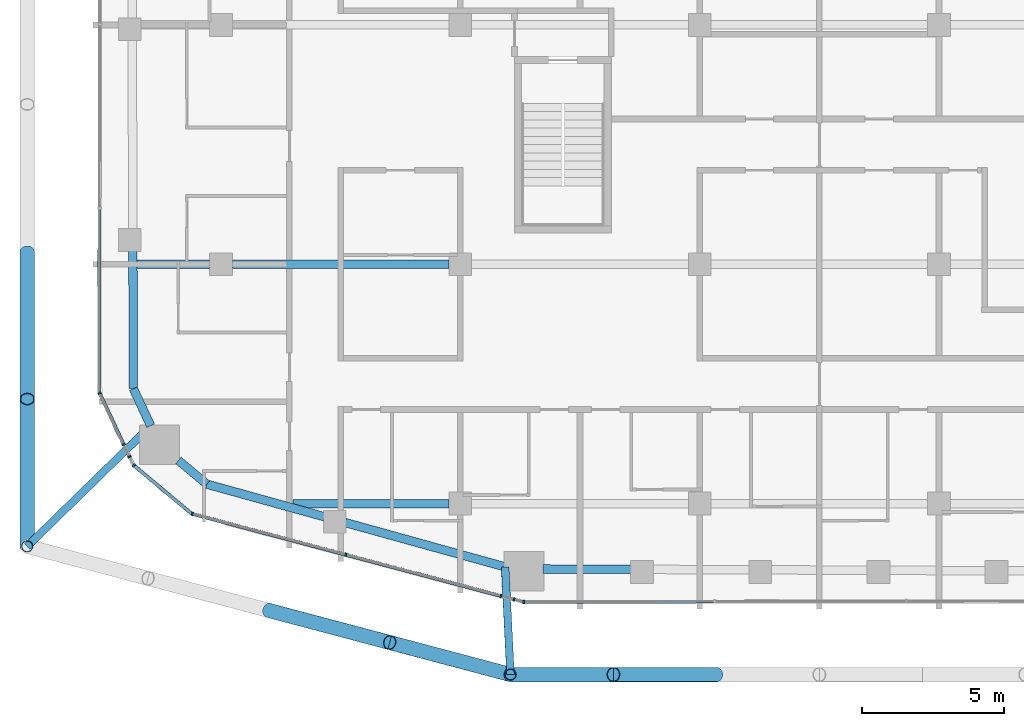
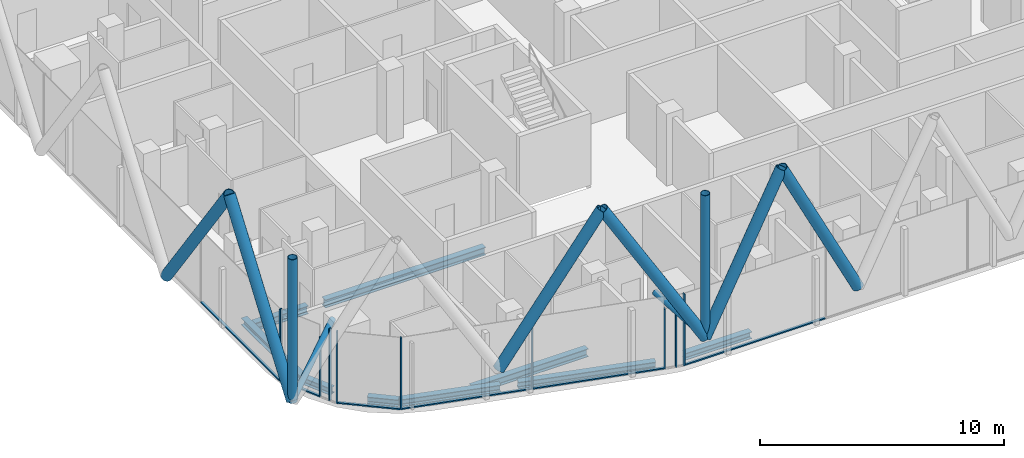
# One storey, part 2 of 28: 25 members, 9 beams, 9 elements without a shape of their own.
"""IFC4 building model written with IfcOpenShell, lengths in metres."""

from ifc_helpers import new_model, si_unit, direction, frame, origin, origin_2d, place, context, subcontext, project, spatial, rectangle, hollow_circle, i_section, extrude, material, layer, layer_set, material_profile, profile_set, type_object, element, aggregate, save


model = new_model("IFC4")

# Units and contexts
model_context = context("Model", 3, precision=1e-05, world=origin(), true_north=direction((0.0, 1.0)))
body_context = subcontext(model_context, "Body", "Model", "MODEL_VIEW")
ifc_project = project(units=[si_unit("LENGTHUNIT", "METRE"), si_unit("AREAUNIT", "SQUARE_METRE"), si_unit("VOLUMEUNIT", "CUBIC_METRE"), si_unit("PLANEANGLEUNIT", "RADIAN"), si_unit("MASSUNIT", "GRAM", prefix="KILO")], contexts=[model_context])

# Site, building, storey
site_placement = place(None, origin())
site = spatial("IfcSite", under=ifc_project, at=site_placement, CompositionType="ELEMENT")
building_placement = place(site_placement, origin())
building = spatial("IfcBuilding", under=site, at=building_placement, Name="Marenta Gate Hotel Tower", CompositionType="ELEMENT")
storey_placement = place(building_placement, frame((0.0, 0.0, 212.89990234375)))
storey = spatial("IfcBuildingStorey", under=building, at=storey_placement, Name="L49", CompositionType="ELEMENT", Elevation=212.89990234375)

# Members
ifc_material_1 = material(Name="Steel S355J2W", Category="steel")
ifc_material_profile_1 = material_profile(ifc_material_1, hollow_circle(Radius=0.203125, WallThickness=0.02490234375, at=origin_2d()), Name="CHS 406.4x25")
ifc_profile_set_1 = profile_set([ifc_material_profile_1], Name="Steel S355J2W")
member_type_1 = type_object("IfcMemberType", Name="Diagrid corner post Z3 CHS 406.4x25", PredefinedType="POST", material=ifc_profile_set_1)
for number, where, z_axis, x_axis, name in (
    (1, (-10.839111328125, -31.199951171875, 3.14013671875), (0.0, 0.0, 1.0), (1.0, 0.0, 0.0), "L49-DR-4"),
    (2, (-27.800048828125, -26.7001953125, 3.14013671875), (0.0, 0.0, 1.0), (1.0, 0.0, 0.0), "L49-DR-5"),
):
    element("IfcMember", number, at=place(storey_placement, frame(where, z_axis=z_axis, x_axis=x_axis)), inside=storey, type_object=member_type_1, Name=name, PredefinedType="POST", context=body_context, shape_type="SweptSolid", body=[
        extrude(hollow_circle(Radius=0.203125, WallThickness=0.02490234375, at=origin_2d()), origin(), (0.0, 0.0, 1.0), 7.199951171875),
    ])
ifc_material_2 = material(Name="Steel S355J2W", Category="steel")
ifc_material_profile_2 = material_profile(ifc_material_2, hollow_circle(Radius=0.25390625, WallThickness=0.02490234375, at=origin_2d()), Name="CHS 508x25")
ifc_profile_set_2 = profile_set([ifc_material_profile_2], Name="Steel S355J2W")
member_type_2 = type_object("IfcMemberType", Name="Diagrid diagonal Z3 CHS 508x25", PredefinedType="BRACE", material=ifc_profile_set_2)
for number, where, z_axis, x_axis, name in (
    (3, (-3.613037109375, -31.199951171875, 3.14013671875), (-0.44851025603, 0.0, 0.893777685018), (0.0, -1.0, 0.0), "L49-DG-19"),
    (4, (-10.839111328125, -31.199951171875, 3.14013671875), (0.44851025603, 0.0, 0.893777685018), (0.0, 1.0, 0.0), "L49-DG-20"),
):
    element("IfcMember", number, at=place(storey_placement, frame(where, z_axis=z_axis, x_axis=x_axis)), inside=storey, type_object=member_type_2, Name=name, PredefinedType="BRACE", context=body_context, shape_type="SweptSolid", body=[
        extrude(hollow_circle(Radius=0.25390625, WallThickness=0.02490234375, at=origin_2d()), origin(), (0.0, 0.0, 1.0), 8.0556640625),
    ])
for number, where, z_axis, x_axis, name in (
    (5, (-10.839111328125, -31.199951171875, 3.14013671875), (-0.502924018666, 0.133433548941, 0.853968921838), (-0.256443187528, -0.96655930577, 0.0), "L49-DG-21"),
    (6, (-19.319580078125, -28.9501953125, 3.14013671875), (0.502925961678, -0.133405107407, 0.853972221087), (0.256391194513, 0.966573098827, 0.0), "L49-DG-22"),
):
    element("IfcMember", number, at=place(storey_placement, frame(where, z_axis=z_axis, x_axis=x_axis)), inside=storey, type_object=member_type_2, Name=name, PredefinedType="BRACE", context=body_context, shape_type="SweptSolid", body=[
        extrude(hollow_circle(Radius=0.25390625, WallThickness=0.02490234375, at=origin_2d()), origin(), (0.0, 0.0, 1.0), 8.43115234375),
    ])
member_1_placement = place(storey_placement, frame((-27.800048828125, -26.7001953125, 3.14013671875), z_axis=(0.0, 0.583279014058, 0.812271870595), x_axis=(-1.0, 0.0, 0.0)))
element("IfcMember", 7, at=member_1_placement, inside=storey, type_object=member_type_2, Name="L49-DG-25", PredefinedType="BRACE", context=body_context, shape_type="SweptSolid", body=[
    extrude(hollow_circle(Radius=0.25390625, WallThickness=0.02490234375, at=origin_2d()), origin(), (0.0, 0.0, 1.0), 8.864013671875),
])
member_2_placement = place(storey_placement, frame((-27.800048828125, -16.360107421875, 3.14013671875), z_axis=(0.0, -0.583260841117, 0.812284919975), x_axis=(1.0, 0.0, 0.0)))
element("IfcMember", 8, at=member_2_placement, inside=storey, type_object=member_type_2, Name="L49-DG-26", PredefinedType="BRACE", context=body_context, shape_type="SweptSolid", body=[
    extrude(hollow_circle(Radius=0.25390625, WallThickness=0.02490234375, at=origin_2d()), origin(), (0.0, 0.0, 1.0), 8.86376953125),
])

# Beams
ifc_material_3 = material(Name="Steel S355", Category="steel")
ifc_material_profile_3 = material_profile(ifc_material_3, i_section(OverallWidth=0.300048828125, OverallDepth=0.340087890625, WebThickness=0.011962890625, FlangeThickness=0.021484375, FilletRadius=0.027099609375, at=origin_2d()), Name="HEB 340")
ifc_profile_set_3 = profile_set([ifc_material_profile_3], Name="Steel S355")
beam_type_1 = type_object("IfcBeamType", Name="Edge beam HEB 340", PredefinedType="SPANDREL", material=ifc_profile_set_3)
beam_1_placement = place(storey_placement, frame((-11.02783203125, -27.42236328125, -0.429931640625), z_axis=(-0.963619240724, 0.267278803699, 0.0), x_axis=(-0.267278803699, -0.963619240724, 0.0)))
element("IfcBeam", 9, at=beam_1_placement, inside=storey, type_object=beam_type_1, Name="L49-EB-1", PredefinedType="SPANDREL", context=body_context, shape_type="SweptSolid", body=[
    extrude(i_section(OverallWidth=0.300048828125, OverallDepth=0.340087890625, WebThickness=0.011962890625, FlangeThickness=0.021484375, FilletRadius=0.027099609375, at=origin_2d()), origin(), (0.0, 0.0, 1.0), 5.82958984375),
])
beam_2_placement = place(storey_placement, frame((-17.3681640625, -25.663818359375, -0.429931640625), z_axis=(-0.963628037304, 0.267247087396, 0.0), x_axis=(-0.267247087396, -0.963628037304, 0.0)))
element("IfcBeam", 10, at=beam_2_placement, inside=storey, type_object=beam_type_1, Name="L49-EB-2", PredefinedType="SPANDREL", context=body_context, shape_type="SweptSolid", body=[
    extrude(i_section(OverallWidth=0.300048828125, OverallDepth=0.340087890625, WebThickness=0.011962890625, FlangeThickness=0.021484375, FilletRadius=0.027099609375, at=origin_2d()), origin(), (0.0, 0.0, 1.0), 4.284423828125),
])
beam_3_placement = place(storey_placement, frame((-21.496826171875, -24.518798828125, -0.429931640625), z_axis=(-0.767065103149, 0.641569269472, 0.0), x_axis=(-0.641569269472, -0.767065103149, 0.0)))
element("IfcBeam", 11, at=beam_3_placement, inside=storey, type_object=beam_type_1, Name="L49-EB-3", PredefinedType="SPANDREL", context=body_context, shape_type="SweptSolid", body=[
    extrude(i_section(OverallWidth=0.300048828125, OverallDepth=0.340087890625, WebThickness=0.011962890625, FlangeThickness=0.021484375, FilletRadius=0.027099609375, at=origin_2d()), origin(), (0.0, 0.0, 1.0), 1.299560546875),
])
beam_4_placement = place(storey_placement, frame((-23.466796875, -22.46923828125, -0.429931640625), z_axis=(-0.423341112024, 0.905970365338, 0.0), x_axis=(-0.905970365338, -0.423341112024, 0.0)))
element("IfcBeam", 12, at=beam_4_placement, inside=storey, type_object=beam_type_1, Name="L49-EB-4", PredefinedType="SPANDREL", context=body_context, shape_type="SweptSolid", body=[
    extrude(i_section(OverallWidth=0.300048828125, OverallDepth=0.340087890625, WebThickness=0.011962890625, FlangeThickness=0.021484375, FilletRadius=0.027099609375, at=origin_2d()), origin(), (0.0, 0.0, 1.0), 1.437255859375),
])
beam_5_placement = place(storey_placement, frame((-24.0751953125, -21.167236328125, -0.429931640625), z_axis=(-0.003318732666, 0.999994492992, 0.0), x_axis=(-0.999994492992, -0.003318732666, 0.0)))
element("IfcBeam", 13, at=beam_5_placement, inside=storey, type_object=beam_type_1, Name="L49-EB-5", PredefinedType="SPANDREL", context=body_context, shape_type="SweptSolid", body=[
    extrude(i_section(OverallWidth=0.300048828125, OverallDepth=0.340087890625, WebThickness=0.011962890625, FlangeThickness=0.021484375, FilletRadius=0.027099609375, at=origin_2d()), origin(), (0.0, 0.0, 1.0), 4.855224609375),
])
beam_6_placement = place(storey_placement, frame((-6.580078125, -27.507568359375, -0.429931640625), z_axis=(-0.99999237665, 0.00390469495, 0.0), x_axis=(-0.00390469495, -0.99999237665, 0.0)))
element("IfcBeam", 14, at=beam_6_placement, inside=storey, type_object=beam_type_1, Name="L49-EB-36", PredefinedType="SPANDREL", context=body_context, shape_type="SweptSolid", body=[
    extrude(i_section(OverallWidth=0.300048828125, OverallDepth=0.340087890625, WebThickness=0.011962890625, FlangeThickness=0.021484375, FilletRadius=0.027099609375, at=origin_2d()), origin(), (0.0, 0.0, 1.0), 3.126220703125),
])

# Members
ifc_material_4 = material(Name="Steel S355J2W", Category="steel")
ifc_material_profile_4 = material_profile(ifc_material_4, hollow_circle(Radius=0.136474609375, WallThickness=0.012451171875, at=origin_2d()), Name="CHS 273x12.5")
ifc_profile_set_4 = profile_set([ifc_material_profile_4], Name="Steel S355J2W")
member_type_3 = type_object("IfcMemberType", Name="Floor tie CHS 273x12.5", PredefinedType="STRUT", material=ifc_profile_set_4)
member_3_placement = place(storey_placement, frame((-10.839111328125, -31.199951171875, 3.14013671875), z_axis=(-0.049850547476, 0.998756688546, 0.0), x_axis=(-0.998756688546, -0.049850547476, 0.0)))
element("IfcMember", 15, at=member_3_placement, inside=storey, type_object=member_type_3, Name="L49-DR-10", PredefinedType="STRUT", context=body_context, shape_type="SweptSolid", body=[
    extrude(hollow_circle(Radius=0.136474609375, WallThickness=0.012451171875, at=origin_2d()), origin(), (0.0, 0.0, 1.0), 3.77587890625),
])
member_4_placement = place(storey_placement, frame((-27.800048828125, -26.7001953125, 3.14013671875), z_axis=(0.715510328178, 0.698602154499, 0.0), x_axis=(-0.698602154499, 0.715510328178, 0.0)))
element("IfcMember", 16, at=member_4_placement, inside=storey, type_object=member_type_3, Name="L49-DR-11", PredefinedType="STRUT", context=body_context, shape_type="SweptSolid", body=[
    extrude(hollow_circle(Radius=0.136474609375, WallThickness=0.012451171875, at=origin_2d()), origin(), (0.0, 0.0, 1.0), 6.050048828125),
])

# Beams
ifc_material_5 = material(Name="Steel S355", Category="steel")
ifc_material_profile_5 = material_profile(ifc_material_5, i_section(OverallWidth=0.300048828125, OverallDepth=0.39990234375, WebThickness=0.013427734375, FlangeThickness=0.02392578125, FilletRadius=0.027099609375, at=origin_2d()), Name="HEB 400")
ifc_profile_set_5 = profile_set([ifc_material_profile_5], Name="Steel S355")
beam_type_2 = type_object("IfcBeamType", Name="Girder HEB 400", PredefinedType="BEAM", material=ifc_profile_set_5)
beam_7_placement = place(storey_placement, frame((-18.479248046875, -25.199951171875, -0.4599609375), z_axis=(1.0, 0.0, 0.0), x_axis=(0.0, 1.0, 0.0)))
element("IfcBeam", 17, at=beam_7_placement, inside=storey, type_object=beam_type_2, Name="L49-GD-1", PredefinedType="BEAM", context=body_context, shape_type="SweptSolid", body=[
    extrude(i_section(OverallWidth=0.300048828125, OverallDepth=0.39990234375, WebThickness=0.013427734375, FlangeThickness=0.02392578125, FilletRadius=0.027099609375, at=origin_2d()), origin(), (0.0, 0.0, 1.0), 5.479248046875),
])
beam_8_placement = place(storey_placement, frame((-23.939697265625, -16.800048828125, -0.4599609375), z_axis=(1.0, 0.0, 0.0), x_axis=(0.0, 1.0, 0.0)))
element("IfcBeam", 18, at=beam_8_placement, inside=storey, type_object=beam_type_2, Name="L49-GD-6", PredefinedType="BEAM", context=body_context, shape_type="SweptSolid", body=[
    extrude(i_section(OverallWidth=0.300048828125, OverallDepth=0.39990234375, WebThickness=0.013427734375, FlangeThickness=0.02392578125, FilletRadius=0.027099609375, at=origin_2d()), origin(), (0.0, 0.0, 1.0), 2.539794921875),
])
beam_9_placement = place(storey_placement, frame((-20.60009765625, -16.800048828125, -0.4599609375), z_axis=(1.0, 0.0, 0.0), x_axis=(0.0, 1.0, 0.0)))
element("IfcBeam", 19, at=beam_9_placement, inside=storey, type_object=beam_type_2, Name="L49-GD-7", PredefinedType="BEAM", context=body_context, shape_type="SweptSolid", body=[
    extrude(i_section(OverallWidth=0.300048828125, OverallDepth=0.39990234375, WebThickness=0.013427734375, FlangeThickness=0.02392578125, FilletRadius=0.027099609375, at=origin_2d()), origin(), (0.0, 0.0, 1.0), 7.60009765625),
])

# Curtain wall, member
ifc_material_6 = material(Name="Tinted insulated glass in bronze anodised frame", Category="glass")
ifc_layer = layer(ifc_material_6, 0.1201171875)
ifc_layer_set = layer_set([ifc_layer], Name="Tinted insulated glass in bronze anodised frame")
curtain_wall_type = type_object("IfcCurtainWallType", Name="Tower unitised curtain wall CW1", PredefinedType="NOTDEFINED", material=ifc_layer_set)
curtain_wall_1_placement = place(storey_placement, origin())
curtain_wall_1 = element("IfcCurtainWall", 20, at=curtain_wall_1_placement, inside=storey, type_object=curtain_wall_type, Name="CW1 run G05", PredefinedType="NOTDEFINED")
ifc_material_7 = material(Name="Bronze anodised aluminium", Category="aluminium")
ifc_material_profile_6 = material_profile(ifc_material_7, rectangle(XDim=0.1201171875, YDim=0.06005859375, at=origin_2d()), Name="Mullion CW1 60x120 bronze anodised aluminium")
ifc_profile_set_6 = profile_set([ifc_material_profile_6], Name="Bronze anodised aluminium")
member_type_4 = type_object("IfcMemberType", Name="Mullion CW1 60x120 bronze anodised aluminium", PredefinedType="MULLION", material=ifc_profile_set_6)
member_5_placement = place(storey_placement, frame((-25.26025390625, -21.321044921875, 0.0), z_axis=(0.0, 0.0, 1.0), x_axis=(0.905974826185, 0.423331565466, 0.0)))
member_5 = element("IfcMember", 21, at=member_5_placement, type_object=member_type_4, Name="CW1 mullion 1", PredefinedType="MULLION", context=body_context, shape_type="SweptSolid", body=[
    extrude(rectangle(XDim=0.1201171875, YDim=0.06005859375, at=origin_2d()), origin(), (0.0, 0.0, 1.0), 3.60009765625),
])

curtain_wall_2_placement = place(storey_placement, origin())
curtain_wall_2 = element("IfcCurtainWall", 22, at=curtain_wall_2_placement, inside=storey, type_object=curtain_wall_type, Name="CW1 run G06", PredefinedType="NOTDEFINED")
member_6_placement = place(storey_placement, frame((-24.418701171875, -23.121826171875, 0.0), z_axis=(0.0, 0.0, 1.0), x_axis=(0.905948786251, 0.423387289241, 0.0)))
member_6 = element("IfcMember", 23, at=member_6_placement, type_object=member_type_4, Name="CW1 mullion 1", PredefinedType="MULLION", context=body_context, shape_type="SweptSolid", body=[
    extrude(rectangle(XDim=0.1201171875, YDim=0.06005859375, at=origin_2d()), origin(), (0.0, 0.0, 1.0), 3.00048828125),
])
aggregate(curtain_wall_2, [member_6])

curtain_wall_3_placement = place(storey_placement, origin())
curtain_wall_3 = element("IfcCurtainWall", 24, at=curtain_wall_3_placement, inside=storey, type_object=curtain_wall_type, Name="CW1 run G07", PredefinedType="NOTDEFINED")
member_7_placement = place(storey_placement, frame((-24.215576171875, -23.556640625, 0.0), z_axis=(0.0, 0.0, 1.0), x_axis=(0.905989668401, 0.423299800084, 0.0)))
member_7 = element("IfcMember", 25, at=member_7_placement, type_object=member_type_4, Name="CW1 mullion 1", PredefinedType="MULLION", context=body_context, shape_type="SweptSolid", body=[
    extrude(rectangle(XDim=0.1201171875, YDim=0.06005859375, at=origin_2d()), origin(), (0.0, 0.0, 1.0), 3.60009765625),
])
aggregate(curtain_wall_3, [member_7])

curtain_wall_4_placement = place(storey_placement, origin())
curtain_wall_4 = element("IfcCurtainWall", 26, at=curtain_wall_4_placement, inside=storey, type_object=curtain_wall_type, Name="CW1 run G08", PredefinedType="NOTDEFINED")
member_8_placement = place(storey_placement, frame((-24.059814453125, -23.85986328125, 0.0), z_axis=(0.0, 0.0, 1.0), x_axis=(0.641524739495, 0.767102345594, 0.0)))
member_8 = element("IfcMember", 27, at=member_8_placement, type_object=member_type_4, Name="CW1 mullion 1", PredefinedType="MULLION", context=body_context, shape_type="SweptSolid", body=[
    extrude(rectangle(XDim=0.1201171875, YDim=0.06005859375, at=origin_2d()), origin(), (0.0, 0.0, 1.0), 3.60009765625),
])

# Curtain wall, members
curtain_wall_5_placement = place(storey_placement, origin())
curtain_wall_5 = element("IfcCurtainWall", 28, at=curtain_wall_5_placement, inside=storey, type_object=curtain_wall_type, Name="CW1 run G09", PredefinedType="NOTDEFINED")
member_9_placement = place(storey_placement, frame((-22.00634765625, -25.560791015625, 0.0), z_axis=(0.0, 0.0, 1.0), x_axis=(0.257131734785, 0.966376360931, 0.0)))
member_9 = element("IfcMember", 29, at=member_9_placement, type_object=member_type_4, Name="CW1 mullion 1", PredefinedType="MULLION", context=body_context, shape_type="SweptSolid", body=[
    extrude(rectangle(XDim=0.1201171875, YDim=0.06005859375, at=origin_2d()), origin(), (0.0, 0.0, 1.0), 3.60009765625),
])
member_10_placement = place(storey_placement, frame((-16.61962890625, -26.994140625, 0.0), z_axis=(0.0, 0.0, 1.0), x_axis=(0.257131734785, 0.966376360931, 0.0)))
member_10 = element("IfcMember", 30, at=member_10_placement, type_object=member_type_4, Name="CW1 mullion 2", PredefinedType="MULLION", context=body_context, shape_type="SweptSolid", body=[
    extrude(rectangle(XDim=0.1201171875, YDim=0.06005859375, at=origin_2d()), origin(), (0.0, 0.0, 1.0), 3.60009765625),
])

# Curtain wall, member
curtain_wall_6_placement = place(storey_placement, origin())
curtain_wall_6 = element("IfcCurtainWall", 31, at=curtain_wall_6_placement, inside=storey, type_object=curtain_wall_type, Name="CW1 run G10", PredefinedType="NOTDEFINED")
member_11_placement = place(storey_placement, frame((-11.1748046875, -28.44287109375, 0.0), z_axis=(0.0, 0.0, 1.0), x_axis=(0.257099982864, 0.966384808868, 0.0)))
member_11 = element("IfcMember", 32, at=member_11_placement, type_object=member_type_4, Name="CW1 mullion 1", PredefinedType="MULLION", context=body_context, shape_type="SweptSolid", body=[
    extrude(rectangle(XDim=0.1201171875, YDim=0.06005859375, at=origin_2d()), origin(), (0.0, 0.0, 1.0), 3.00048828125),
])
aggregate(curtain_wall_6, [member_11])

curtain_wall_7_placement = place(storey_placement, origin())
curtain_wall_7 = element("IfcCurtainWall", 33, at=curtain_wall_7_placement, inside=storey, type_object=curtain_wall_type, Name="CW1 run G11", PredefinedType="NOTDEFINED")
member_12_placement = place(storey_placement, frame((-10.71533203125, -28.565185546875, 0.0), z_axis=(0.0, 0.0, 1.0), x_axis=(0.257431460974, 0.966296560535, 0.0)))
member_12 = element("IfcMember", 34, at=member_12_placement, type_object=member_type_4, Name="CW1 mullion 1", PredefinedType="MULLION", context=body_context, shape_type="SweptSolid", body=[
    extrude(rectangle(XDim=0.1201171875, YDim=0.06005859375, at=origin_2d()), origin(), (0.0, 0.0, 1.0), 3.60009765625),
])
aggregate(curtain_wall_7, [member_12])

curtain_wall_8_placement = place(storey_placement, origin())
curtain_wall_8 = element("IfcCurtainWall", 35, at=curtain_wall_8_placement, inside=storey, type_object=curtain_wall_type, Name="CW1 run G12", PredefinedType="NOTDEFINED")
member_13_placement = place(storey_placement, frame((-10.3759765625, -28.6474609375, 0.0), z_axis=(0.0, 0.0, 1.0), x_axis=(-0.001643488917, 0.999998649471, 0.0)))
member_13 = element("IfcMember", 36, at=member_13_placement, type_object=member_type_4, Name="CW1 mullion 1", PredefinedType="MULLION", context=body_context, shape_type="SweptSolid", body=[
    extrude(rectangle(XDim=0.1201171875, YDim=0.06005859375, at=origin_2d()), origin(), (0.0, 0.0, 1.0), 3.60009765625),
])

curtain_wall_9_placement = place(storey_placement, origin())
curtain_wall_9 = element("IfcCurtainWall", 37, at=curtain_wall_9_placement, inside=storey, type_object=curtain_wall_type, Name="CW1 run G04", PredefinedType="NOTDEFINED")
ifc_material_8 = material(Name="Bronze anodised aluminium", Category="aluminium")
ifc_material_profile_7 = material_profile(ifc_material_8, rectangle(XDim=0.1201171875, YDim=0.06005859375, at=origin_2d()), Name="Transom CW1 60x120 bronze anodised aluminium")
ifc_profile_set_7 = profile_set([ifc_material_profile_7], Name="Bronze anodised aluminium")
member_type_5 = type_object("IfcMemberType", Name="Transom CW1 60x120 bronze anodised aluminium", PredefinedType="USERDEFINED", material=ifc_profile_set_7)
member_14_placement = place(storey_placement, frame((-25.262939453125, -14.86376953125, 0.030029296875), z_axis=(-0.001556743377, -0.999998788274, 0.0), x_axis=(0.999998788274, -0.001556743377, 0.0)))
member_14 = element("IfcMember", 38, at=member_14_placement, type_object=member_type_5, Name="CW1 transom 6.1", ObjectType="TRANSOM", PredefinedType="USERDEFINED", context=body_context, shape_type="SweptSolid", body=[
    extrude(rectangle(XDim=0.1201171875, YDim=0.06005859375, at=origin_2d()), origin(), (0.0, 0.0, 1.0), 6.429931640625),
])
aggregate(curtain_wall_9, [member_14])

# Member
member_15_placement = place(storey_placement, frame((-25.24755859375, -21.34814453125, 0.030029296875), z_axis=(0.423349902149, -0.905966257843, 0.0), x_axis=(0.905966257843, 0.423349902149, 0.0)))
member_15 = element("IfcMember", 39, at=member_15_placement, type_object=member_type_5, Name="CW1 transom 1.1", ObjectType="TRANSOM", PredefinedType="USERDEFINED", context=body_context, shape_type="SweptSolid", body=[
    extrude(rectangle(XDim=0.1201171875, YDim=0.06005859375, at=origin_2d()), origin(), (0.0, 0.0, 1.0), 1.927978515625),
])

aggregate(curtain_wall_1, [member_5, member_15])

member_16_placement = place(storey_placement, frame((-24.036865234375, -23.879150390625, 0.030029296875), z_axis=(0.767100312603, -0.641527170433, 0.0), x_axis=(0.641527170433, 0.767100312603, 0.0)))
member_16 = element("IfcMember", 40, at=member_16_placement, type_object=member_type_5, Name="CW1 transom 1.1", ObjectType="TRANSOM", PredefinedType="USERDEFINED", context=body_context, shape_type="SweptSolid", body=[
    extrude(rectangle(XDim=0.1201171875, YDim=0.06005859375, at=origin_2d()), origin(), (0.0, 0.0, 1.0), 2.609130859375),
])

aggregate(curtain_wall_4, [member_8, member_16])

member_17_placement = place(storey_placement, frame((-21.977294921875, -25.568603515625, 0.030029296875), z_axis=(0.96638102535, -0.257114203895, 0.0), x_axis=(0.257114203895, 0.96638102535, 0.0)))
member_17 = element("IfcMember", 41, at=member_17_placement, type_object=member_type_5, Name="CW1 transom 1.1", ObjectType="TRANSOM", PredefinedType="USERDEFINED", context=body_context, shape_type="SweptSolid", body=[
    extrude(rectangle(XDim=0.1201171875, YDim=0.06005859375, at=origin_2d()), origin(), (0.0, 0.0, 1.0), 5.513916015625),
])

member_18_placement = place(storey_placement, frame((-16.590576171875, -27.001708984375, 0.030029296875), z_axis=(0.966373646518, -0.257141936127, 0.0), x_axis=(0.257141936127, 0.966373646518, 0.0)))
member_18 = element("IfcMember", 42, at=member_18_placement, type_object=member_type_5, Name="CW1 transom 2.1", ObjectType="TRANSOM", PredefinedType="USERDEFINED", context=body_context, shape_type="SweptSolid", body=[
    extrude(rectangle(XDim=0.1201171875, YDim=0.06005859375, at=origin_2d()), origin(), (0.0, 0.0, 1.0), 5.57421875),
])

aggregate(curtain_wall_5, [member_9, member_10, member_17, member_18])

member_19_placement = place(storey_placement, frame((-10.345947265625, -28.6474609375, 0.030029296875), z_axis=(0.99999863267, 0.001653679938, 0.0), x_axis=(-0.001653679938, 0.99999863267, 0.0)))
member_19 = element("IfcMember", 43, at=member_19_placement, type_object=member_type_5, Name="CW1 transom 1.1", ObjectType="TRANSOM", PredefinedType="USERDEFINED", context=body_context, shape_type="SweptSolid", body=[
    extrude(rectangle(XDim=0.1201171875, YDim=0.06005859375, at=origin_2d()), origin(), (0.0, 0.0, 1.0), 6.6435546875),
])

aggregate(curtain_wall_8, [member_13, member_19])

save(model, "model.ifc")
